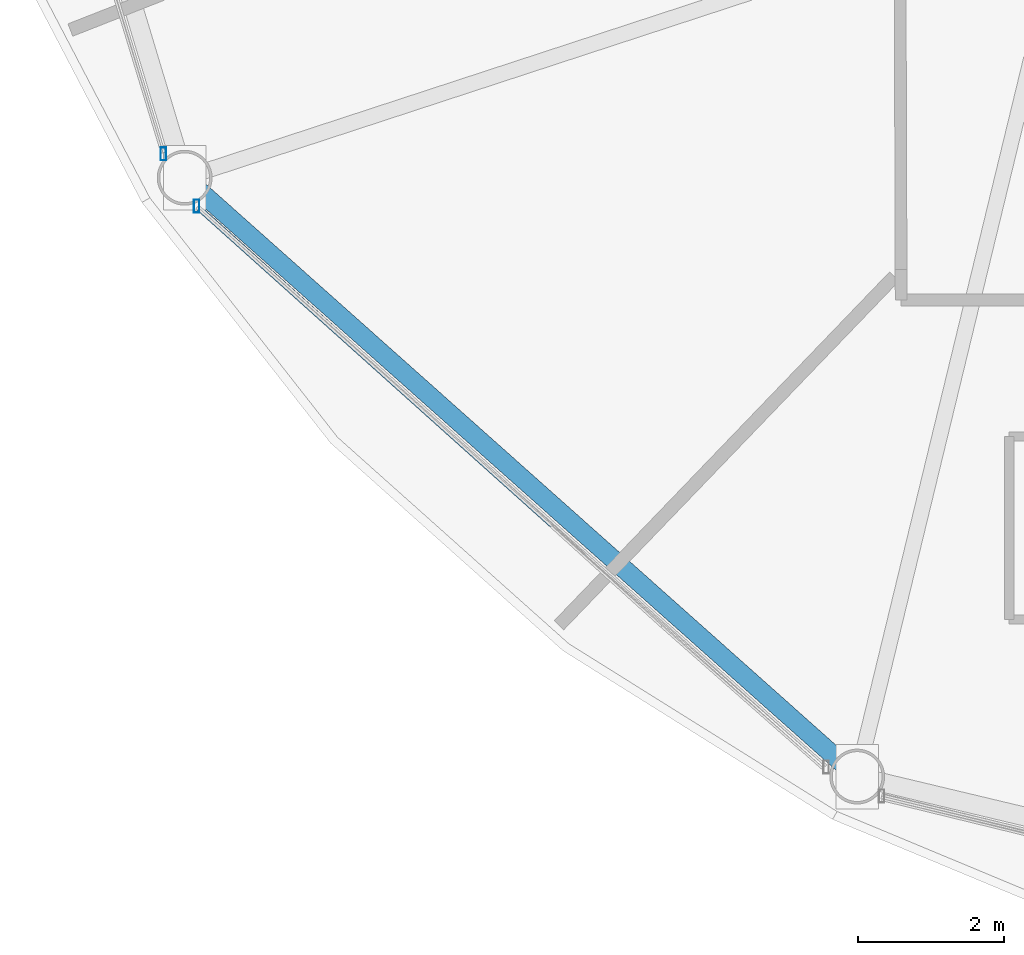
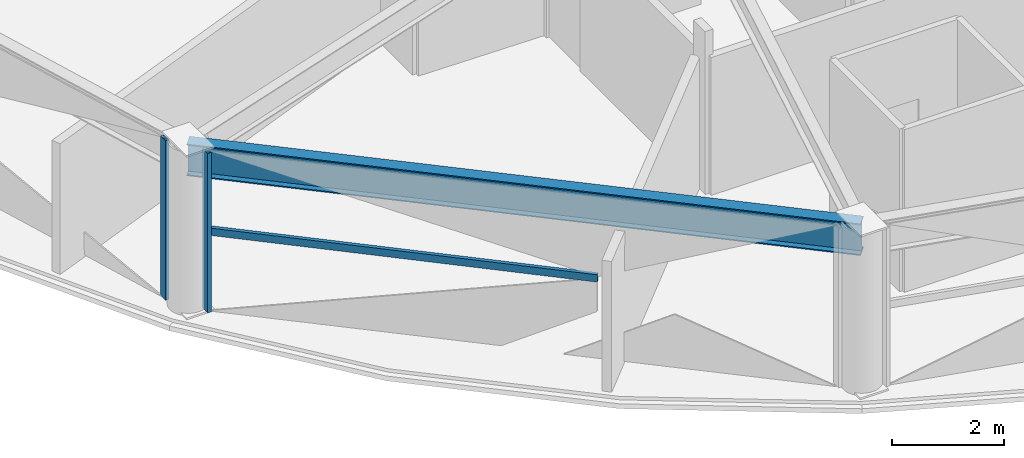
# One storey, part 3 of 30: 3 members, 1 beam, 2 elements without a shape of their own.
"""IFC4 building model written with IfcOpenShell, lengths in metres."""

from ifc_helpers import new_model, si_unit, direction, frame, origin, origin_2d, place, context, subcontext, project, spatial, hollow_rectangle, i_section, extrude, material, layer, layer_set, material_profile, profile_set, type_object, element, aggregate, save


model = new_model("IFC4")

# Units and contexts
model_context = context("Model", 3, precision=1e-05, world=origin(), true_north=direction((0.0, 1.0)))
body_context = subcontext(model_context, "Body", "Model", "MODEL_VIEW")
ifc_project = project(units=[si_unit("LENGTHUNIT", "METRE"), si_unit("AREAUNIT", "SQUARE_METRE"), si_unit("VOLUMEUNIT", "CUBIC_METRE"), si_unit("PLANEANGLEUNIT", "RADIAN"), si_unit("MASSUNIT", "GRAM", prefix="KILO")], contexts=[model_context])

# Site, building, storey
site_placement = place(None, origin())
site = spatial("IfcSite", under=ifc_project, at=site_placement, CompositionType="ELEMENT")
building_placement = place(site_placement, origin())
building = spatial("IfcBuilding", under=site, at=building_placement, Name="Vantalir Tower", CompositionType="ELEMENT")
storey_placement = place(building_placement, frame((0.0, 0.0, 130.949951171875)))
storey = spatial("IfcBuildingStorey", under=building, at=storey_placement, Name="L32", CompositionType="ELEMENT", Elevation=130.949951171875)

# Beam
ifc_material_1 = material(Name="Steel S460", Category="steel")
ifc_material_profile_1 = material_profile(ifc_material_1, i_section(OverallWidth=0.256103515625, OverallDepth=0.693115234375, WebThickness=0.014404296875, FlangeThickness=0.023681640625, at=origin_2d()), Name="Steel S460")
ifc_profile_set_1 = profile_set([ifc_material_profile_1], Name="Steel S460")
beam_type = type_object("IfcBeamType", Name="BM-RG-686x254", PredefinedType="USERDEFINED", material=ifc_profile_set_1)
beam_placement = place(storey_placement, frame((9.76904296875, 13.826904296875, 3.22412109375), z_axis=(0.746820820992, -0.665025308791, 0.0), x_axis=(0.665025308791, 0.746820820992, 0.0)))
element("IfcBeam", 1, at=beam_placement, inside=storey, type_object=beam_type, Name="L32 Circumferential Ring Girder 08", ObjectType="GIRDER", PredefinedType="USERDEFINED", context=body_context, shape_type="SweptSolid", body=[
    extrude(i_section(OverallWidth=0.256103515625, OverallDepth=0.693115234375, WebThickness=0.014404296875, FlangeThickness=0.023681640625, at=origin_2d()), origin(), (0.0, 0.0, 1.0), 12.29736328125),
])

# Curtain wall, member
ifc_material_2 = material(Name="Champagne-silver PVDF aluminium and double-silver Low-E glass", Category="aluminium")
ifc_layer = layer(ifc_material_2, 0.199951171875)
ifc_layer_set = layer_set([ifc_layer], Name="Champagne-silver PVDF aluminium and double-silver Low-E glass")
curtain_wall_type = type_object("IfcCurtainWallType", Name="CW-DIAMOND-Z2", PredefinedType="USERDEFINED", material=ifc_layer_set)
curtain_wall_1_placement = place(storey_placement, origin())
curtain_wall_1 = element("IfcCurtainWall", 2, at=curtain_wall_1_placement, inside=storey, type_object=curtain_wall_type, Name="L32 Quilted Pyramid-Diamond Curtain Wall S07", ObjectType="UNITISED CURTAIN WALL", PredefinedType="USERDEFINED")
ifc_material_3 = material(Name="Champagne-silver PVDF aluminium 6063-T6", Category="aluminium")
ifc_material_profile_2 = material_profile(ifc_material_3, hollow_rectangle(XDim=0.074951171875, YDim=0.179931640625, WallThickness=0.00390625, at=origin_2d()), Name="Champagne-silver PVDF aluminium 6063-T6")
ifc_profile_set_2 = profile_set([ifc_material_profile_2], Name="Champagne-silver PVDF aluminium 6063-T6")
member_type_1 = type_object("IfcMemberType", Name="CWM-180x75", PredefinedType="MULLION", material=ifc_profile_set_2)
member_1_placement = place(storey_placement, frame((9.47705078125, 14.153076171875, 0.045166015625), z_axis=(0.0, 0.0, 1.0), x_axis=(1.0, 0.0, 0.0)))
member_1 = element("IfcMember", 3, at=member_1_placement, type_object=member_type_1, Name="CW-L32-S07 Mullion 2", PredefinedType="MULLION", context=body_context, shape_type="SweptSolid", body=[
    extrude(hollow_rectangle(XDim=0.074951171875, YDim=0.179931640625, WallThickness=0.00390625, at=origin_2d()), origin(), (0.0, 0.0, 1.0), 3.47998046875),
])
aggregate(curtain_wall_1, [member_1])

# Curtain wall, members
curtain_wall_2_placement = place(storey_placement, origin())
curtain_wall_2 = element("IfcCurtainWall", 4, at=curtain_wall_2_placement, inside=storey, type_object=curtain_wall_type, Name="L32 Quilted Pyramid-Diamond Curtain Wall S08", ObjectType="UNITISED CURTAIN WALL", PredefinedType="USERDEFINED")
member_2_placement = place(storey_placement, frame((9.931884765625, 13.43896484375, 0.045166015625), z_axis=(0.0, 0.0, 1.0), x_axis=(1.0, 0.0, 0.0)))
member_2 = element("IfcMember", 5, at=member_2_placement, type_object=member_type_1, Name="CW-L32-S08 Mullion 1", PredefinedType="MULLION", context=body_context, shape_type="SweptSolid", body=[
    extrude(hollow_rectangle(XDim=0.074951171875, YDim=0.179931640625, WallThickness=0.00390625, at=origin_2d()), origin(), (0.0, 0.0, 1.0), 3.47998046875),
])
ifc_material_profile_3 = material_profile(ifc_material_3, hollow_rectangle(XDim=0.074951171875, YDim=0.159912109375, WallThickness=0.00390625, at=origin_2d()), Name="Champagne-silver PVDF aluminium 6063-T6")
ifc_profile_set_3 = profile_set([ifc_material_profile_3], Name="Champagne-silver PVDF aluminium 6063-T6")
member_type_2 = type_object("IfcMemberType", Name="CWT-160x75", PredefinedType="USERDEFINED", material=ifc_profile_set_3)
member_3_placement = place(storey_placement, frame((9.931884765625, 13.43896484375, 1.78515625), z_axis=(0.744318550963, -0.667824748487, 0.0), x_axis=(0.667824748487, 0.744318550963, 0.0)))
member_3 = element("IfcMember", 6, at=member_3_placement, type_object=member_type_2, Name="CW-L32-S08 Pyramid Fold Ridge Transom", ObjectType="TRANSOM", PredefinedType="USERDEFINED", context=body_context, shape_type="SweptSolid", body=[
    extrude(hollow_rectangle(XDim=0.074951171875, YDim=0.159912109375, WallThickness=0.00390625, at=origin_2d()), origin(), (0.0, 0.0, 1.0), 7.1396484375),
])
aggregate(curtain_wall_2, [member_2, member_3])

save(model, "model.ifc")
